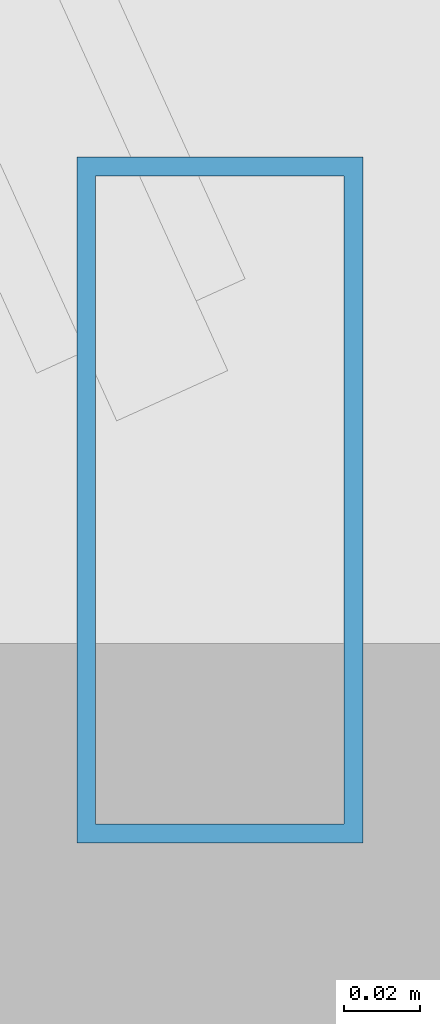
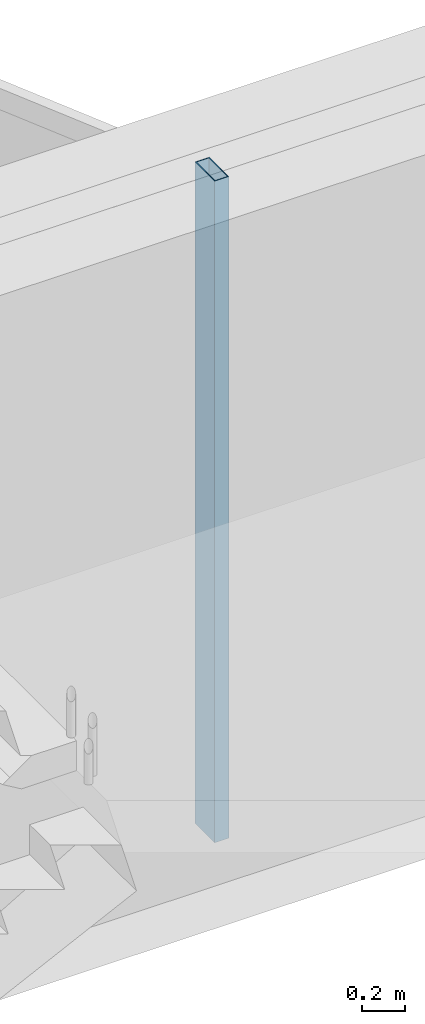
# One storey, part 14 of 25: 1 member, 1 element without a shape of its own.
"""IFC4 building model written with IfcOpenShell, lengths in metres."""

from ifc_helpers import new_model, si_unit, direction, frame, origin, origin_2d, place, context, subcontext, project, spatial, hollow_rectangle, extrude, material, layer, layer_set, material_profile, profile_set, type_object, element, aggregate, save


model = new_model("IFC4")

# Units and contexts
model_context = context("Model", 3, precision=1e-05, world=origin(), true_north=direction((0.0, 1.0)))
body_context = subcontext(model_context, "Body", "Model", "MODEL_VIEW")
ifc_project = project(units=[si_unit("LENGTHUNIT", "METRE"), si_unit("AREAUNIT", "SQUARE_METRE"), si_unit("VOLUMEUNIT", "CUBIC_METRE"), si_unit("PLANEANGLEUNIT", "RADIAN"), si_unit("MASSUNIT", "GRAM", prefix="KILO")], contexts=[model_context])

# Site, building, storey
site_placement = place(None, origin())
site = spatial("IfcSite", under=ifc_project, at=site_placement, CompositionType="ELEMENT")
building_placement = place(site_placement, origin())
building = spatial("IfcBuilding", under=site, at=building_placement, Name="Veymaron Broadcast Tower", CompositionType="ELEMENT")
storey_placement = place(building_placement, frame((0.0, 0.0, 102.60009765625)))
storey = spatial("IfcBuildingStorey", under=building, at=storey_placement, Name="L23", CompositionType="ELEMENT", Elevation=102.60009765625)

# Curtain wall, member
ifc_material_1 = material(Name="Anodised aluminium AA 6063-T6 and laminated low-E dark glass", Category="aluminium")
ifc_layer = layer(ifc_material_1, 0.179931640625)
ifc_layer_set = layer_set([ifc_layer], Name="Anodised aluminium AA 6063-T6 and laminated low-E dark glass")
curtain_wall_type = type_object("IfcCurtainWallType", Name="CW-SYS-02", PredefinedType="NOTDEFINED", material=ifc_layer_set)
curtain_wall_placement = place(storey_placement, origin())
curtain_wall = element("IfcCurtainWall", 1, at=curtain_wall_placement, inside=storey, type_object=curtain_wall_type, Name="L23 dark-glass curtain wall CW-L23-E5-1", PredefinedType="NOTDEFINED")
ifc_material_2 = material(Name="Anodised aluminium AA 6063-T6", Category="aluminium")
ifc_material_profile = material_profile(ifc_material_2, hollow_rectangle(XDim=0.074951171875, YDim=0.179931640625, WallThickness=0.0048828125, at=origin_2d()), Name="AL180X75X5")
ifc_profile_set = profile_set([ifc_material_profile], Name="Anodised aluminium AA 6063-T6")
member_type = type_object("IfcMemberType", Name="CW-MUL-02", PredefinedType="MULLION", material=ifc_profile_set)
member_placement = place(storey_placement, frame((46.309814453125, 31.942138671875, 0.0), z_axis=(0.0, 0.0, 1.0), x_axis=(1.0, 0.0, 0.0)))
member = element("IfcMember", 2, at=member_placement, type_object=member_type, Name="CW-L23-E5-1 mullion 0", PredefinedType="MULLION", context=body_context, shape_type="SweptSolid", body=[
    extrude(hollow_rectangle(XDim=0.074951171875, YDim=0.179931640625, WallThickness=0.0048828125, at=origin_2d()), origin(), (0.0, 0.0, 1.0), 3.72998046875),
])
aggregate(curtain_wall, [member])

save(model, "model.ifc")
